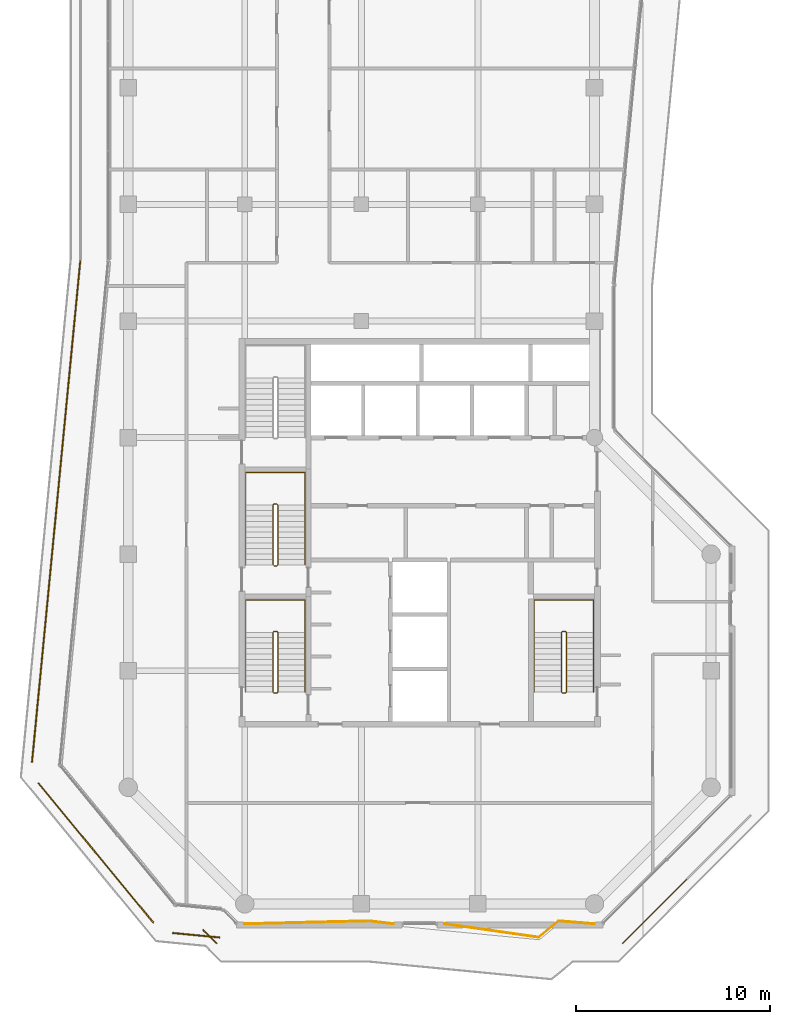
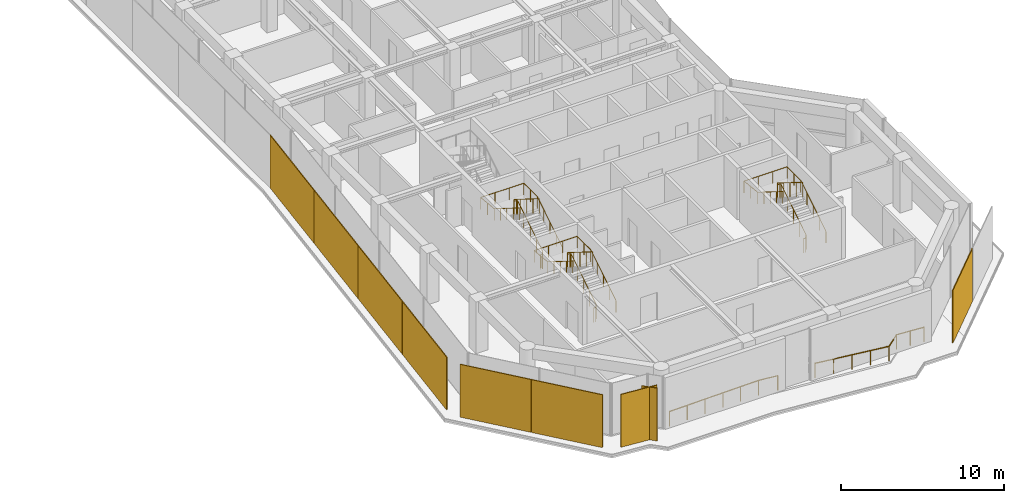
# One storey, part 24 of 25: 9 coverings, 8 railings.
"""IFC4 building model written with IfcOpenShell, lengths in metres."""

from ifc_helpers import new_model, si_unit, direction, frame, origin, origin_2d, place, context, subcontext, project, spatial, rectangle, circle, extrude, material, layer, layer_set, type_object, element, save


model = new_model("IFC4")

# Units and contexts
model_context = context("Model", 3, precision=1e-05, world=origin(), true_north=direction((0.0, 1.0)))
body_context = subcontext(model_context, "Body", "Model", "MODEL_VIEW")
ifc_project = project(units=[si_unit("LENGTHUNIT", "METRE"), si_unit("AREAUNIT", "SQUARE_METRE"), si_unit("VOLUMEUNIT", "CUBIC_METRE"), si_unit("PLANEANGLEUNIT", "RADIAN"), si_unit("MASSUNIT", "GRAM", prefix="KILO")], contexts=[model_context])

# Site, building, storey
site_placement = place(None, origin())
site = spatial("IfcSite", under=ifc_project, at=site_placement, CompositionType="ELEMENT")
building_placement = place(site_placement, origin())
building = spatial("IfcBuilding", under=site, at=building_placement, Name="Welwitschia Terrace Campus", CompositionType="ELEMENT")
storey_placement = place(building_placement, frame((0.0, 0.0, 264.199951171875)))
storey = spatial("IfcBuildingStorey", under=building, at=storey_placement, Name="L58", CompositionType="ELEMENT", Elevation=264.199951171875)

# Coverings
ifc_material_1 = material(Name="Bronze mesh aluminium screen", Category="aluminium")
ifc_layer = layer(ifc_material_1, 0.06005859375)
ifc_layer_set = layer_set([ifc_layer], Name="Bronze mesh aluminium screen")
covering_type = type_object("IfcCoveringType", Name="Bronze screen 60", PredefinedType="USERDEFINED", material=ifc_layer_set)
for number, where, z_axis, x_axis, name in (
    (1, (-2.76611328125, 25.9990234375, 0.0), (0.0, 0.0, 1.0), (-0.09584575252, -0.995396198367, 0.0), "Screen L58.1.0"),
    (2, (-3.391357421875, 19.505615234375, 0.0), (0.0, 0.0, 1.0), (-0.09584575252, -0.995396198367, 0.0), "Screen L58.1.1"),
    (3, (-4.0166015625, 13.01220703125, 0.0), (0.0, 0.0, 1.0), (-0.09584575252, -0.995396198367, 0.0), "Screen L58.1.2"),
    (4, (-4.641845703125, 6.5185546875, 0.0), (0.0, 0.0, 1.0), (-0.09584575252, -0.995396198367, 0.0), "Screen L58.1.3"),
):
    element("IfcCovering", number, at=place(storey_placement, frame(where, z_axis=z_axis, x_axis=x_axis)), inside=storey, type_object=covering_type, Name=name, ObjectType="SCREEN", PredefinedType="USERDEFINED", context=body_context, shape_type="SweptSolid", body=[
        extrude(rectangle(XDim=6.50341796875, YDim=0.06005859375, at=origin_2d()), origin(), (0.0, 0.0, 1.0), 3.949951171875),
    ])
for number, where, z_axis, x_axis, name in (
    (5, (-3.1494140625, 0.423583984375, 0.0), (0.0, 0.0, 1.0), (0.636078220278, -0.771624583388, 0.0), "Screen L58.2.0"),
    (6, (-0.179443359375, -3.17919921875, 0.0), (0.0, 0.0, 1.0), (0.636078220278, -0.771624583388, 0.0), "Screen L58.2.1"),
):
    element("IfcCovering", number, at=place(storey_placement, frame(where, z_axis=z_axis, x_axis=x_axis)), inside=storey, type_object=covering_type, Name=name, ObjectType="SCREEN", PredefinedType="USERDEFINED", context=body_context, shape_type="SweptSolid", body=[
        extrude(rectangle(XDim=4.6494140625, YDim=0.06005859375, at=origin_2d()), origin(), (0.0, 0.0, 1.0), 3.949951171875),
    ])
covering_1_placement = place(storey_placement, frame((3.4921875, -5.612060546875, 0.0), z_axis=(0.0, 0.0, 1.0), x_axis=(0.995396198367, -0.09584575252, 0.0)))
element("IfcCovering", 7, at=covering_1_placement, inside=storey, type_object=covering_type, Name="Screen L58.3.0", ObjectType="SCREEN", PredefinedType="USERDEFINED", context=body_context, shape_type="SweptSolid", body=[
    extrude(rectangle(XDim=2.431640625, YDim=0.06005859375, at=origin_2d()), origin(), (0.0, 0.0, 1.0), 3.949951171875),
])
covering_2_placement = place(storey_placement, frame((4.2001953125, -5.67919921875, 0.0), z_axis=(0.0, 0.0, 1.0), x_axis=(0.707106781187, -0.707106781187, 0.0)))
element("IfcCovering", 8, at=covering_2_placement, inside=storey, type_object=covering_type, Name="Screen L58.4.0", ObjectType="SCREEN", PredefinedType="USERDEFINED", context=body_context, shape_type="SweptSolid", body=[
    extrude(rectangle(XDim=1.00390625, YDim=0.06005859375, at=origin_2d()), origin(), (0.0, 0.0, 1.0), 3.949951171875),
])
covering_3_placement = place(storey_placement, frame((27.088623046875, -4.390380859375, 0.0), z_axis=(0.0, 0.0, 1.0), x_axis=(0.707106781187, 0.707106781187, 0.0)))
element("IfcCovering", 9, at=covering_3_placement, inside=storey, type_object=covering_type, Name="Screen L58.6.0", ObjectType="SCREEN", PredefinedType="USERDEFINED", context=body_context, shape_type="SweptSolid", body=[
    extrude(rectangle(XDim=4.6494140625, YDim=0.06005859375, at=origin_2d()), origin(), (0.0, 0.0, 1.0), 3.949951171875),
])

# Railings
ifc_material_2 = material(Name="Stainless steel grade 316", Category="steel")
railing_type_1 = type_object("IfcRailingType", Name="Guard 1100", PredefinedType="GUARDRAIL", material=ifc_material_2)
railing_1_placement = place(storey_placement, frame((13.6513671875, -5.030029296875, 0.0)))
element("IfcRailing", 10, at=railing_1_placement, inside=storey, type_object=railing_type_1, Name="Guard floor edge L58.1", PredefinedType="GUARDRAIL", context=body_context, shape_type="SweptSolid", body=[
    extrude(circle(Radius=0.02392578125, at=origin_2d()), frame((0.0, 0.0, 1.076171875), z_axis=(-0.993151900971, 0.116830225535, 0.0), x_axis=(-0.116830225535, -0.993151900971, 0.0)), (0.0, 0.0, 1.0), 1.28515625),
    extrude(circle(Radius=0.02392578125, at=origin_2d()), frame((-1.2763671875, 0.150146484375, 1.076171875), z_axis=(-0.999723012344, -0.023535050245, 0.0), x_axis=(0.023535050245, -0.999723012344, 0.0)), (0.0, 0.0, 1.0), 6.379638671875),
    extrude(circle(Radius=0.02099609375, at=origin_2d()), origin(), (0.0, 0.0, 1.0), 1.052001953125),
    extrude(circle(Radius=0.02099609375, at=origin_2d()), frame((-1.2763671875, 0.150146484375, 0.0)), (0.0, 0.0, 1.0), 1.052001953125),
    extrude(circle(Radius=0.02099609375, at=origin_2d()), frame((-2.552001953125, 0.1201171875, 0.0)), (0.0, 0.0, 1.0), 1.052001953125),
    extrude(circle(Radius=0.02099609375, at=origin_2d()), frame((-3.82763671875, 0.090087890625, 0.0)), (0.0, 0.0, 1.0), 1.052001953125),
    extrude(circle(Radius=0.02099609375, at=origin_2d()), frame((-5.10302734375, 0.06005859375, 0.0)), (0.0, 0.0, 1.0), 1.052001953125),
    extrude(circle(Radius=0.02099609375, at=origin_2d()), frame((-6.378662109375, 0.030029296875, 0.0)), (0.0, 0.0, 1.0), 1.052001953125),
    extrude(circle(Radius=0.02099609375, at=origin_2d()), frame((-7.654296875, 0.0, 0.0)), (0.0, 0.0, 1.0), 1.052001953125),
])
railing_2_placement = place(storey_placement, frame((24.0029296875, -5.030029296875, 0.0)))
element("IfcRailing", 11, at=railing_2_placement, inside=storey, type_object=railing_type_1, Name="Guard floor edge L58.3", PredefinedType="GUARDRAIL", context=body_context, shape_type="SweptSolid", body=[
    extrude(circle(Radius=0.02392578125, at=origin_2d()), frame((0.0, 0.0, 1.076171875), z_axis=(-0.996731621354, 0.080784125874, 0.0), x_axis=(-0.080784125874, -0.996731621354, 0.0)), (0.0, 0.0, 1.0), 1.858642578125),
    extrude(circle(Radius=0.02392578125, at=origin_2d()), frame((-1.8525390625, 0.150146484375, 1.076171875), z_axis=(-0.771488589917, -0.636243157627, 0.0), x_axis=(0.636243157627, -0.771488589917, 0.0)), (0.0, 0.0, 1.0), 1.324951171875),
    extrude(circle(Radius=0.02392578125, at=origin_2d()), frame((-2.874755859375, -0.69287109375, 1.076171875), z_axis=(-0.989908507658, 0.141707961903, 0.0), x_axis=(-0.141707961903, -0.989908507658, 0.0)), (0.0, 0.0, 1.0), 4.889404296875),
    extrude(circle(Radius=0.02099609375, at=origin_2d()), origin(), (0.0, 0.0, 1.0), 1.052001953125),
    extrude(circle(Radius=0.02099609375, at=origin_2d()), frame((-0.92626953125, 0.0751953125, 0.0)), (0.0, 0.0, 1.0), 1.052001953125),
    extrude(circle(Radius=0.02099609375, at=origin_2d()), frame((-1.8525390625, 0.150146484375, 0.0)), (0.0, 0.0, 1.0), 1.052001953125),
    extrude(circle(Radius=0.02099609375, at=origin_2d()), frame((-2.874755859375, -0.69287109375, 0.0)), (0.0, 0.0, 1.0), 1.052001953125),
    extrude(circle(Radius=0.02099609375, at=origin_2d()), frame((-4.084716796875, -0.51953125, 0.0)), (0.0, 0.0, 1.0), 1.052001953125),
    extrude(circle(Radius=0.02099609375, at=origin_2d()), frame((-5.294921875, -0.346435546875, 0.0)), (0.0, 0.0, 1.0), 1.052001953125),
    extrude(circle(Radius=0.02099609375, at=origin_2d()), frame((-6.5048828125, -0.17333984375, 0.0)), (0.0, 0.0, 1.0), 1.052001953125),
    extrude(circle(Radius=0.02099609375, at=origin_2d()), frame((-7.71484375, 0.0, 0.0)), (0.0, 0.0, 1.0), 1.052001953125),
])
ifc_material_3 = material(Name="Steel S355", Category="steel")
railing_type_2 = type_object("IfcRailingType", Name="Stair guard 1100", PredefinedType="GUARDRAIL", material=ifc_material_3)
railing_3_placement = place(storey_placement, frame((7.5, 6.85009765625, 0.0)))
element("IfcRailing", 12, at=railing_3_placement, inside=storey, type_object=railing_type_2, Name="L58 S1 stair guard", PredefinedType="GUARDRAIL", context=body_context, shape_type="SweptSolid", body=[
    extrude(circle(Radius=0.02392578125, at=origin_2d()), frame((0.0, 0.0, 1.076171875), z_axis=(1.0, 0.0, 0.0), x_axis=(0.0, 1.0, 0.0)), (0.0, 0.0, 1.0), 0.14990234375),
    extrude(circle(Radius=0.02392578125, at=origin_2d()), frame((0.14990234375, 0.0, 1.076171875), z_axis=(0.265155923931, 0.263862480399, 0.927399011991), x_axis=(-0.705375805398, 0.708833529934, 0.0)), (0.0, 0.0, 1.0), 0.188720703125),
    extrude(circle(Radius=0.02392578125, at=origin_2d()), frame((0.199951171875, 0.0498046875, 1.2509765625), z_axis=(0.0, 0.847998304005, 0.529998940003), x_axis=(-1.0, 0.0, 0.0)), (0.0, 0.0, 1.0), 3.632080078125),
    extrude(circle(Radius=0.02392578125, at=origin_2d()), frame((0.199951171875, 3.1298828125, 3.17626953125), z_axis=(-0.707106781187, 0.707106781187, 0.0), x_axis=(-0.707106781187, -0.707106781187, 0.0)), (0.0, 0.0, 1.0), 0.07080078125),
    extrude(circle(Radius=0.02392578125, at=origin_2d()), frame((0.14990234375, 3.179931640625, 3.17626953125), z_axis=(-1.0, 0.0, 0.0), x_axis=(0.0, -1.0, 0.0)), (0.0, 0.0, 1.0), 0.14990234375),
    extrude(circle(Radius=0.02392578125, at=origin_2d()), frame((0.0, 3.179931640625, 3.17626953125), z_axis=(-0.265065253269, -0.265065253269, 0.927081885822), x_axis=(0.707106781187, -0.707106781187, 0.0)), (0.0, 0.0, 1.0), 0.188720703125),
    extrude(circle(Radius=0.02392578125, at=origin_2d()), frame((-0.050048828125, 3.1298828125, 3.35107421875), z_axis=(0.0, -0.848028513186, 0.529950602248), x_axis=(1.0, 0.0, 0.0)), (0.0, 0.0, 1.0), 3.632080078125),
    extrude(circle(Radius=0.02099609375, at=origin_2d()), origin(), (0.0, 0.0, 1.0), 1.052001953125),
    extrude(circle(Radius=0.02099609375, at=origin_2d()), frame((0.14990234375, 0.0, 0.0)), (0.0, 0.0, 1.0), 1.052001953125),
    extrude(circle(Radius=0.02099609375, at=origin_2d()), frame((0.199951171875, 0.0498046875, 0.175048828125)), (0.0, 0.0, 1.0), 1.052001953125),
    extrude(circle(Radius=0.02099609375, at=origin_2d()), frame((0.199951171875, 0.81982421875, 0.65625)), (0.0, 0.0, 1.0), 1.052001953125),
    extrude(circle(Radius=0.02099609375, at=origin_2d()), frame((0.199951171875, 1.58984375, 1.1376953125)), (0.0, 0.0, 1.0), 1.052001953125),
    extrude(circle(Radius=0.02099609375, at=origin_2d()), frame((0.199951171875, 2.35986328125, 1.618896484375)), (0.0, 0.0, 1.0), 1.052001953125),
    extrude(circle(Radius=0.02099609375, at=origin_2d()), frame((0.199951171875, 3.1298828125, 2.10009765625)), (0.0, 0.0, 1.0), 1.052001953125),
    extrude(circle(Radius=0.02099609375, at=origin_2d()), frame((0.14990234375, 3.179931640625, 2.10009765625)), (0.0, 0.0, 1.0), 1.052001953125),
    extrude(circle(Radius=0.02099609375, at=origin_2d()), frame((0.0, 3.179931640625, 2.10009765625)), (0.0, 0.0, 1.0), 1.052001953125),
    extrude(circle(Radius=0.02099609375, at=origin_2d()), frame((-0.050048828125, 3.1298828125, 2.275146484375)), (0.0, 0.0, 1.0), 1.052001953125),
    extrude(circle(Radius=0.02099609375, at=origin_2d()), frame((-0.050048828125, 2.35986328125, 2.75634765625)), (0.0, 0.0, 1.0), 1.052001953125),
    extrude(circle(Radius=0.02099609375, at=origin_2d()), frame((-0.050048828125, 1.58984375, 3.237548828125)), (0.0, 0.0, 1.0), 1.052001953125),
    extrude(circle(Radius=0.02099609375, at=origin_2d()), frame((-0.050048828125, 0.81982421875, 3.71875)), (0.0, 0.0, 1.0), 1.052001953125),
    extrude(circle(Radius=0.02099609375, at=origin_2d()), frame((-0.050048828125, 0.0498046875, 4.199951171875)), (0.0, 0.0, 1.0), 1.052001953125),
])
railing_4_placement = place(storey_placement, frame((7.5, 13.39990234375, 0.0)))
element("IfcRailing", 13, at=railing_4_placement, inside=storey, type_object=railing_type_2, Name="L58 S3 stair guard", PredefinedType="GUARDRAIL", context=body_context, shape_type="SweptSolid", body=[
    extrude(circle(Radius=0.02392578125, at=origin_2d()), frame((0.0, 0.0, 1.076171875), z_axis=(1.0, 0.0, 0.0), x_axis=(0.0, 1.0, 0.0)), (0.0, 0.0, 1.0), 0.14990234375),
    extrude(circle(Radius=0.02392578125, at=origin_2d()), frame((0.14990234375, 0.0, 1.076171875), z_axis=(0.265065253269, 0.265065253269, 0.927081885822), x_axis=(-0.707106781187, 0.707106781187, 0.0)), (0.0, 0.0, 1.0), 0.188720703125),
    extrude(circle(Radius=0.02392578125, at=origin_2d()), frame((0.199951171875, 0.050048828125, 1.2509765625), z_axis=(0.0, 0.847998304005, 0.529998940003), x_axis=(-1.0, 0.0, 0.0)), (0.0, 0.0, 1.0), 3.632080078125),
    extrude(circle(Radius=0.02392578125, at=origin_2d()), frame((0.199951171875, 3.130126953125, 3.17626953125), z_axis=(-0.707106781187, 0.707106781187, 0.0), x_axis=(-0.707106781187, -0.707106781187, 0.0)), (0.0, 0.0, 1.0), 0.07080078125),
    extrude(circle(Radius=0.02392578125, at=origin_2d()), frame((0.14990234375, 3.18017578125, 3.17626953125), z_axis=(-1.0, 0.0, 0.0), x_axis=(0.0, -1.0, 0.0)), (0.0, 0.0, 1.0), 0.14990234375),
    extrude(circle(Radius=0.02392578125, at=origin_2d()), frame((0.0, 3.18017578125, 3.17626953125), z_axis=(-0.265065253269, -0.265065253269, 0.927081885822), x_axis=(0.707106781187, -0.707106781187, 0.0)), (0.0, 0.0, 1.0), 0.188720703125),
    extrude(circle(Radius=0.02392578125, at=origin_2d()), frame((-0.050048828125, 3.130126953125, 3.35107421875), z_axis=(0.0, -0.848028513186, 0.529950602248), x_axis=(1.0, 0.0, 0.0)), (0.0, 0.0, 1.0), 3.632080078125),
    extrude(circle(Radius=0.02099609375, at=origin_2d()), origin(), (0.0, 0.0, 1.0), 1.052001953125),
    extrude(circle(Radius=0.02099609375, at=origin_2d()), frame((0.14990234375, 0.0, 0.0)), (0.0, 0.0, 1.0), 1.052001953125),
    extrude(circle(Radius=0.02099609375, at=origin_2d()), frame((0.199951171875, 0.050048828125, 0.175048828125)), (0.0, 0.0, 1.0), 1.052001953125),
    extrude(circle(Radius=0.02099609375, at=origin_2d()), frame((0.199951171875, 0.820068359375, 0.65625)), (0.0, 0.0, 1.0), 1.052001953125),
    extrude(circle(Radius=0.02099609375, at=origin_2d()), frame((0.199951171875, 1.590087890625, 1.1376953125)), (0.0, 0.0, 1.0), 1.052001953125),
    extrude(circle(Radius=0.02099609375, at=origin_2d()), frame((0.199951171875, 2.360107421875, 1.618896484375)), (0.0, 0.0, 1.0), 1.052001953125),
    extrude(circle(Radius=0.02099609375, at=origin_2d()), frame((0.199951171875, 3.130126953125, 2.10009765625)), (0.0, 0.0, 1.0), 1.052001953125),
    extrude(circle(Radius=0.02099609375, at=origin_2d()), frame((0.14990234375, 3.18017578125, 2.10009765625)), (0.0, 0.0, 1.0), 1.052001953125),
    extrude(circle(Radius=0.02099609375, at=origin_2d()), frame((0.0, 3.18017578125, 2.10009765625)), (0.0, 0.0, 1.0), 1.052001953125),
    extrude(circle(Radius=0.02099609375, at=origin_2d()), frame((-0.050048828125, 3.130126953125, 2.275146484375)), (0.0, 0.0, 1.0), 1.052001953125),
    extrude(circle(Radius=0.02099609375, at=origin_2d()), frame((-0.050048828125, 2.360107421875, 2.75634765625)), (0.0, 0.0, 1.0), 1.052001953125),
    extrude(circle(Radius=0.02099609375, at=origin_2d()), frame((-0.050048828125, 1.590087890625, 3.237548828125)), (0.0, 0.0, 1.0), 1.052001953125),
    extrude(circle(Radius=0.02099609375, at=origin_2d()), frame((-0.050048828125, 0.820068359375, 3.71875)), (0.0, 0.0, 1.0), 1.052001953125),
    extrude(circle(Radius=0.02099609375, at=origin_2d()), frame((-0.050048828125, 0.050048828125, 4.199951171875)), (0.0, 0.0, 1.0), 1.052001953125),
])
railing_5_placement = place(storey_placement, frame((22.35009765625, 6.85009765625, 0.0)))
element("IfcRailing", 14, at=railing_5_placement, inside=storey, type_object=railing_type_2, Name="L58 S2 stair guard", PredefinedType="GUARDRAIL", context=body_context, shape_type="SweptSolid", body=[
    extrude(circle(Radius=0.02392578125, at=origin_2d()), frame((0.0, 0.0, 1.076171875), z_axis=(1.0, 0.0, 0.0), x_axis=(0.0, 1.0, 0.0)), (0.0, 0.0, 1.0), 0.14990234375),
    extrude(circle(Radius=0.02392578125, at=origin_2d()), frame((0.14990234375, 0.0, 1.076171875), z_axis=(0.265155923931, 0.263862480399, 0.927399011991), x_axis=(-0.705375805398, 0.708833529934, 0.0)), (0.0, 0.0, 1.0), 0.188720703125),
    extrude(circle(Radius=0.02392578125, at=origin_2d()), frame((0.199951171875, 0.0498046875, 1.2509765625), z_axis=(0.0, 0.847998304005, 0.529998940003), x_axis=(-1.0, 0.0, 0.0)), (0.0, 0.0, 1.0), 3.632080078125),
    extrude(circle(Radius=0.02392578125, at=origin_2d()), frame((0.199951171875, 3.1298828125, 3.17626953125), z_axis=(-0.707106781187, 0.707106781187, 0.0), x_axis=(-0.707106781187, -0.707106781187, 0.0)), (0.0, 0.0, 1.0), 0.07080078125),
    extrude(circle(Radius=0.02392578125, at=origin_2d()), frame((0.14990234375, 3.179931640625, 3.17626953125), z_axis=(-1.0, 0.0, 0.0), x_axis=(0.0, -1.0, 0.0)), (0.0, 0.0, 1.0), 0.14990234375),
    extrude(circle(Radius=0.02392578125, at=origin_2d()), frame((0.0, 3.179931640625, 3.17626953125), z_axis=(-0.265065253269, -0.265065253269, 0.927081885822), x_axis=(0.707106781187, -0.707106781187, 0.0)), (0.0, 0.0, 1.0), 0.188720703125),
    extrude(circle(Radius=0.02392578125, at=origin_2d()), frame((-0.050048828125, 3.1298828125, 3.35107421875), z_axis=(0.0, -0.848028513186, 0.529950602248), x_axis=(1.0, 0.0, 0.0)), (0.0, 0.0, 1.0), 3.632080078125),
    extrude(circle(Radius=0.02099609375, at=origin_2d()), origin(), (0.0, 0.0, 1.0), 1.052001953125),
    extrude(circle(Radius=0.02099609375, at=origin_2d()), frame((0.14990234375, 0.0, 0.0)), (0.0, 0.0, 1.0), 1.052001953125),
    extrude(circle(Radius=0.02099609375, at=origin_2d()), frame((0.199951171875, 0.0498046875, 0.175048828125)), (0.0, 0.0, 1.0), 1.052001953125),
    extrude(circle(Radius=0.02099609375, at=origin_2d()), frame((0.199951171875, 0.81982421875, 0.65625)), (0.0, 0.0, 1.0), 1.052001953125),
    extrude(circle(Radius=0.02099609375, at=origin_2d()), frame((0.199951171875, 1.58984375, 1.1376953125)), (0.0, 0.0, 1.0), 1.052001953125),
    extrude(circle(Radius=0.02099609375, at=origin_2d()), frame((0.199951171875, 2.35986328125, 1.618896484375)), (0.0, 0.0, 1.0), 1.052001953125),
    extrude(circle(Radius=0.02099609375, at=origin_2d()), frame((0.199951171875, 3.1298828125, 2.10009765625)), (0.0, 0.0, 1.0), 1.052001953125),
    extrude(circle(Radius=0.02099609375, at=origin_2d()), frame((0.14990234375, 3.179931640625, 2.10009765625)), (0.0, 0.0, 1.0), 1.052001953125),
    extrude(circle(Radius=0.02099609375, at=origin_2d()), frame((0.0, 3.179931640625, 2.10009765625)), (0.0, 0.0, 1.0), 1.052001953125),
    extrude(circle(Radius=0.02099609375, at=origin_2d()), frame((-0.050048828125, 3.1298828125, 2.275146484375)), (0.0, 0.0, 1.0), 1.052001953125),
    extrude(circle(Radius=0.02099609375, at=origin_2d()), frame((-0.050048828125, 2.35986328125, 2.75634765625)), (0.0, 0.0, 1.0), 1.052001953125),
    extrude(circle(Radius=0.02099609375, at=origin_2d()), frame((-0.050048828125, 1.58984375, 3.237548828125)), (0.0, 0.0, 1.0), 1.052001953125),
    extrude(circle(Radius=0.02099609375, at=origin_2d()), frame((-0.050048828125, 0.81982421875, 3.71875)), (0.0, 0.0, 1.0), 1.052001953125),
    extrude(circle(Radius=0.02099609375, at=origin_2d()), frame((-0.050048828125, 0.0498046875, 4.199951171875)), (0.0, 0.0, 1.0), 1.052001953125),
])
ifc_material_4 = material(Name="Steel S355", Category="steel")
railing_type_3 = type_object("IfcRailingType", Name="Stair handrail 900", PredefinedType="HANDRAIL", material=ifc_material_4)
railing_6_placement = place(storey_placement, frame((9.10009765625, 6.89990234375, 0.175048828125)))
element("IfcRailing", 15, at=railing_6_placement, inside=storey, type_object=railing_type_3, Name="L58 S1 stair handrail", PredefinedType="HANDRAIL", context=body_context, shape_type="SweptSolid", body=[
    extrude(circle(Radius=0.02392578125, at=origin_2d()), frame((0.0, 0.0, 0.8759765625), z_axis=(0.0, 0.847998304005, 0.529998940003), x_axis=(-1.0, 0.0, 0.0)), (0.0, 0.0, 1.0), 3.632080078125),
    extrude(circle(Radius=0.02392578125, at=origin_2d()), frame((0.0, 3.080078125, 2.80078125), z_axis=(0.0, 1.0, 0.0), x_axis=(-1.0, 0.0, 0.0)), (0.0, 0.0, 1.0), 1.669921875),
    extrude(circle(Radius=0.02392578125, at=origin_2d()), frame((0.0, 4.75, 2.80078125), z_axis=(-1.0, 0.0, 0.0), x_axis=(0.0, -1.0, 0.0)), (0.0, 0.0, 1.0), 3.050048828125),
    extrude(circle(Radius=0.02392578125, at=origin_2d()), frame((-3.050048828125, 4.75, 2.80078125), z_axis=(0.0, -0.99455077262, 0.104253348533), x_axis=(1.0, 0.0, 0.0)), (0.0, 0.0, 1.0), 1.678955078125),
    extrude(circle(Radius=0.02392578125, at=origin_2d()), frame((-3.050048828125, 3.080078125, 2.97607421875), z_axis=(0.0, -0.848028513186, 0.529950602248), x_axis=(1.0, 0.0, 0.0)), (0.0, 0.0, 1.0), 3.632080078125),
    extrude(circle(Radius=0.02099609375, at=origin_2d()), origin(), (0.0, 0.0, 1.0), 0.851806640625),
    extrude(circle(Radius=0.02099609375, at=origin_2d()), frame((0.0, 0.77001953125, 0.481201171875)), (0.0, 0.0, 1.0), 0.851806640625),
    extrude(circle(Radius=0.02099609375, at=origin_2d()), frame((0.0, 1.5400390625, 0.96240234375)), (0.0, 0.0, 1.0), 0.851806640625),
    extrude(circle(Radius=0.02099609375, at=origin_2d()), frame((0.0, 2.31005859375, 1.44384765625)), (0.0, 0.0, 1.0), 0.851806640625),
    extrude(circle(Radius=0.02099609375, at=origin_2d()), frame((0.0, 3.080078125, 1.925048828125)), (0.0, 0.0, 1.0), 0.851806640625),
    extrude(circle(Radius=0.02099609375, at=origin_2d()), frame((0.0, 3.9150390625, 1.925048828125)), (0.0, 0.0, 1.0), 0.851806640625),
    extrude(circle(Radius=0.02099609375, at=origin_2d()), frame((0.0, 4.75, 1.925048828125)), (0.0, 0.0, 1.0), 0.851806640625),
    extrude(circle(Radius=0.02099609375, at=origin_2d()), frame((-1.0166015625, 4.75, 1.925048828125)), (0.0, 0.0, 1.0), 0.851806640625),
    extrude(circle(Radius=0.02099609375, at=origin_2d()), frame((-2.033447265625, 4.75, 1.925048828125)), (0.0, 0.0, 1.0), 0.851806640625),
    extrude(circle(Radius=0.02099609375, at=origin_2d()), frame((-3.050048828125, 4.75, 1.925048828125)), (0.0, 0.0, 1.0), 0.851806640625),
    extrude(circle(Radius=0.02099609375, at=origin_2d()), frame((-3.050048828125, 3.9150390625, 2.0126953125)), (0.0, 0.0, 1.0), 0.851806640625),
    extrude(circle(Radius=0.02099609375, at=origin_2d()), frame((-3.050048828125, 3.080078125, 2.10009765625)), (0.0, 0.0, 1.0), 0.851806640625),
    extrude(circle(Radius=0.02099609375, at=origin_2d()), frame((-3.050048828125, 2.31005859375, 2.581298828125)), (0.0, 0.0, 1.0), 0.851806640625),
    extrude(circle(Radius=0.02099609375, at=origin_2d()), frame((-3.050048828125, 1.5400390625, 3.0625)), (0.0, 0.0, 1.0), 0.851806640625),
    extrude(circle(Radius=0.02099609375, at=origin_2d()), frame((-3.050048828125, 0.77001953125, 3.543701171875)), (0.0, 0.0, 1.0), 0.851806640625),
    extrude(circle(Radius=0.02099609375, at=origin_2d()), frame((-3.050048828125, 0.0, 4.02490234375)), (0.0, 0.0, 1.0), 0.851806640625),
])
railing_7_placement = place(storey_placement, frame((9.10009765625, 13.449951171875, 0.175048828125)))
element("IfcRailing", 16, at=railing_7_placement, inside=storey, type_object=railing_type_3, Name="L58 S3 stair handrail", PredefinedType="HANDRAIL", context=body_context, shape_type="SweptSolid", body=[
    extrude(circle(Radius=0.02392578125, at=origin_2d()), frame((0.0, 0.0, 0.8759765625), z_axis=(0.0, 0.847998304005, 0.529998940003), x_axis=(-1.0, 0.0, 0.0)), (0.0, 0.0, 1.0), 3.632080078125),
    extrude(circle(Radius=0.02392578125, at=origin_2d()), frame((0.0, 3.080078125, 2.80078125), z_axis=(0.0, 1.0, 0.0), x_axis=(-1.0, 0.0, 0.0)), (0.0, 0.0, 1.0), 1.669921875),
    extrude(circle(Radius=0.02392578125, at=origin_2d()), frame((0.0, 4.75, 2.80078125), z_axis=(-1.0, 0.0, 0.0), x_axis=(0.0, -1.0, 0.0)), (0.0, 0.0, 1.0), 3.050048828125),
    extrude(circle(Radius=0.02392578125, at=origin_2d()), frame((-3.050048828125, 4.75, 2.80078125), z_axis=(0.0, -0.99455077262, 0.104253348533), x_axis=(1.0, 0.0, 0.0)), (0.0, 0.0, 1.0), 1.678955078125),
    extrude(circle(Radius=0.02392578125, at=origin_2d()), frame((-3.050048828125, 3.080078125, 2.97607421875), z_axis=(0.0, -0.848028513186, 0.529950602248), x_axis=(1.0, 0.0, 0.0)), (0.0, 0.0, 1.0), 3.632080078125),
    extrude(circle(Radius=0.02099609375, at=origin_2d()), origin(), (0.0, 0.0, 1.0), 0.851806640625),
    extrude(circle(Radius=0.02099609375, at=origin_2d()), frame((0.0, 0.77001953125, 0.481201171875)), (0.0, 0.0, 1.0), 0.851806640625),
    extrude(circle(Radius=0.02099609375, at=origin_2d()), frame((0.0, 1.5400390625, 0.96240234375)), (0.0, 0.0, 1.0), 0.851806640625),
    extrude(circle(Radius=0.02099609375, at=origin_2d()), frame((0.0, 2.31005859375, 1.44384765625)), (0.0, 0.0, 1.0), 0.851806640625),
    extrude(circle(Radius=0.02099609375, at=origin_2d()), frame((0.0, 3.080078125, 1.925048828125)), (0.0, 0.0, 1.0), 0.851806640625),
    extrude(circle(Radius=0.02099609375, at=origin_2d()), frame((0.0, 3.9150390625, 1.925048828125)), (0.0, 0.0, 1.0), 0.851806640625),
    extrude(circle(Radius=0.02099609375, at=origin_2d()), frame((0.0, 4.75, 1.925048828125)), (0.0, 0.0, 1.0), 0.851806640625),
    extrude(circle(Radius=0.02099609375, at=origin_2d()), frame((-1.0166015625, 4.75, 1.925048828125)), (0.0, 0.0, 1.0), 0.851806640625),
    extrude(circle(Radius=0.02099609375, at=origin_2d()), frame((-2.033447265625, 4.75, 1.925048828125)), (0.0, 0.0, 1.0), 0.851806640625),
    extrude(circle(Radius=0.02099609375, at=origin_2d()), frame((-3.050048828125, 4.75, 1.925048828125)), (0.0, 0.0, 1.0), 0.851806640625),
    extrude(circle(Radius=0.02099609375, at=origin_2d()), frame((-3.050048828125, 3.9150390625, 2.0126953125)), (0.0, 0.0, 1.0), 0.851806640625),
    extrude(circle(Radius=0.02099609375, at=origin_2d()), frame((-3.050048828125, 3.080078125, 2.10009765625)), (0.0, 0.0, 1.0), 0.851806640625),
    extrude(circle(Radius=0.02099609375, at=origin_2d()), frame((-3.050048828125, 2.31005859375, 2.581298828125)), (0.0, 0.0, 1.0), 0.851806640625),
    extrude(circle(Radius=0.02099609375, at=origin_2d()), frame((-3.050048828125, 1.5400390625, 3.0625)), (0.0, 0.0, 1.0), 0.851806640625),
    extrude(circle(Radius=0.02099609375, at=origin_2d()), frame((-3.050048828125, 0.77001953125, 3.543701171875)), (0.0, 0.0, 1.0), 0.851806640625),
    extrude(circle(Radius=0.02099609375, at=origin_2d()), frame((-3.050048828125, 0.0, 4.02490234375)), (0.0, 0.0, 1.0), 0.851806640625),
])
railing_8_placement = place(storey_placement, frame((23.949951171875, 6.89990234375, 0.175048828125)))
element("IfcRailing", 17, at=railing_8_placement, inside=storey, type_object=railing_type_3, Name="L58 S2 stair handrail", PredefinedType="HANDRAIL", context=body_context, shape_type="SweptSolid", body=[
    extrude(circle(Radius=0.02392578125, at=origin_2d()), frame((0.0, 0.0, 0.8759765625), z_axis=(0.0, 0.847998304005, 0.529998940003), x_axis=(-1.0, 0.0, 0.0)), (0.0, 0.0, 1.0), 3.632080078125),
    extrude(circle(Radius=0.02392578125, at=origin_2d()), frame((0.0, 3.080078125, 2.80078125), z_axis=(0.0, 1.0, 0.0), x_axis=(-1.0, 0.0, 0.0)), (0.0, 0.0, 1.0), 1.669921875),
    extrude(circle(Radius=0.02392578125, at=origin_2d()), frame((0.0, 4.75, 2.80078125), z_axis=(-1.0, 0.0, 0.0), x_axis=(0.0, -1.0, 0.0)), (0.0, 0.0, 1.0), 3.050048828125),
    extrude(circle(Radius=0.02392578125, at=origin_2d()), frame((-3.050048828125, 4.75, 2.80078125), z_axis=(0.0, -0.99455077262, 0.104253348533), x_axis=(1.0, 0.0, 0.0)), (0.0, 0.0, 1.0), 1.678955078125),
    extrude(circle(Radius=0.02392578125, at=origin_2d()), frame((-3.050048828125, 3.080078125, 2.97607421875), z_axis=(0.0, -0.848028513186, 0.529950602248), x_axis=(1.0, 0.0, 0.0)), (0.0, 0.0, 1.0), 3.632080078125),
    extrude(circle(Radius=0.02099609375, at=origin_2d()), origin(), (0.0, 0.0, 1.0), 0.851806640625),
    extrude(circle(Radius=0.02099609375, at=origin_2d()), frame((0.0, 0.77001953125, 0.481201171875)), (0.0, 0.0, 1.0), 0.851806640625),
    extrude(circle(Radius=0.02099609375, at=origin_2d()), frame((0.0, 1.5400390625, 0.96240234375)), (0.0, 0.0, 1.0), 0.851806640625),
    extrude(circle(Radius=0.02099609375, at=origin_2d()), frame((0.0, 2.31005859375, 1.44384765625)), (0.0, 0.0, 1.0), 0.851806640625),
    extrude(circle(Radius=0.02099609375, at=origin_2d()), frame((0.0, 3.080078125, 1.925048828125)), (0.0, 0.0, 1.0), 0.851806640625),
    extrude(circle(Radius=0.02099609375, at=origin_2d()), frame((0.0, 3.9150390625, 1.925048828125)), (0.0, 0.0, 1.0), 0.851806640625),
    extrude(circle(Radius=0.02099609375, at=origin_2d()), frame((0.0, 4.75, 1.925048828125)), (0.0, 0.0, 1.0), 0.851806640625),
    extrude(circle(Radius=0.02099609375, at=origin_2d()), frame((-1.0166015625, 4.75, 1.925048828125)), (0.0, 0.0, 1.0), 0.851806640625),
    extrude(circle(Radius=0.02099609375, at=origin_2d()), frame((-2.033447265625, 4.75, 1.925048828125)), (0.0, 0.0, 1.0), 0.851806640625),
    extrude(circle(Radius=0.02099609375, at=origin_2d()), frame((-3.050048828125, 4.75, 1.925048828125)), (0.0, 0.0, 1.0), 0.851806640625),
    extrude(circle(Radius=0.02099609375, at=origin_2d()), frame((-3.050048828125, 3.9150390625, 2.0126953125)), (0.0, 0.0, 1.0), 0.851806640625),
    extrude(circle(Radius=0.02099609375, at=origin_2d()), frame((-3.050048828125, 3.080078125, 2.10009765625)), (0.0, 0.0, 1.0), 0.851806640625),
    extrude(circle(Radius=0.02099609375, at=origin_2d()), frame((-3.050048828125, 2.31005859375, 2.581298828125)), (0.0, 0.0, 1.0), 0.851806640625),
    extrude(circle(Radius=0.02099609375, at=origin_2d()), frame((-3.050048828125, 1.5400390625, 3.0625)), (0.0, 0.0, 1.0), 0.851806640625),
    extrude(circle(Radius=0.02099609375, at=origin_2d()), frame((-3.050048828125, 0.77001953125, 3.543701171875)), (0.0, 0.0, 1.0), 0.851806640625),
    extrude(circle(Radius=0.02099609375, at=origin_2d()), frame((-3.050048828125, 0.0, 4.02490234375)), (0.0, 0.0, 1.0), 0.851806640625),
])

save(model, "model.ifc")
